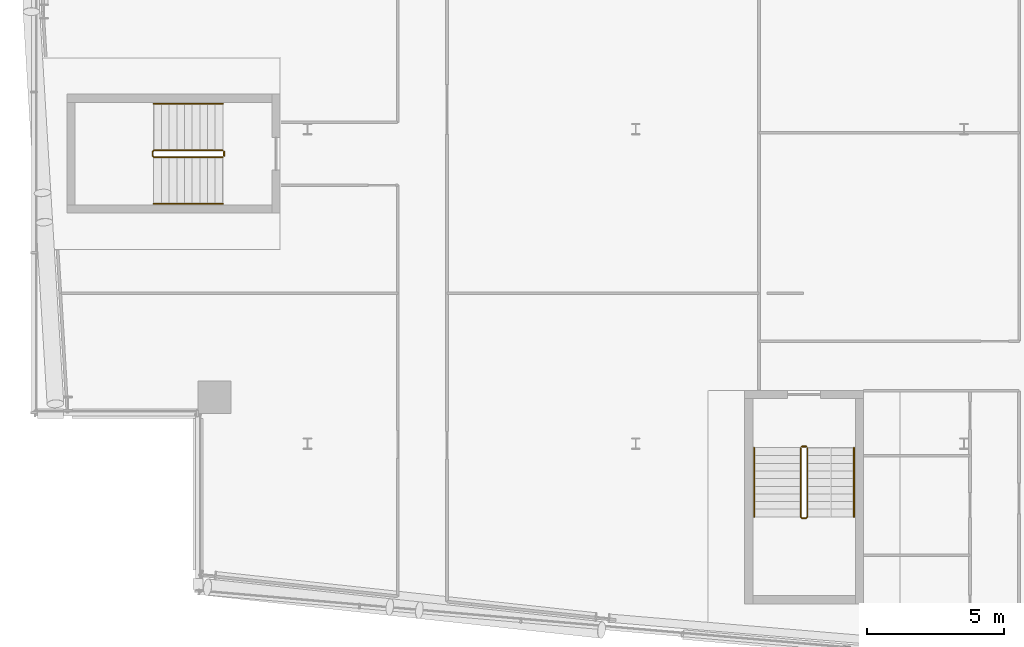
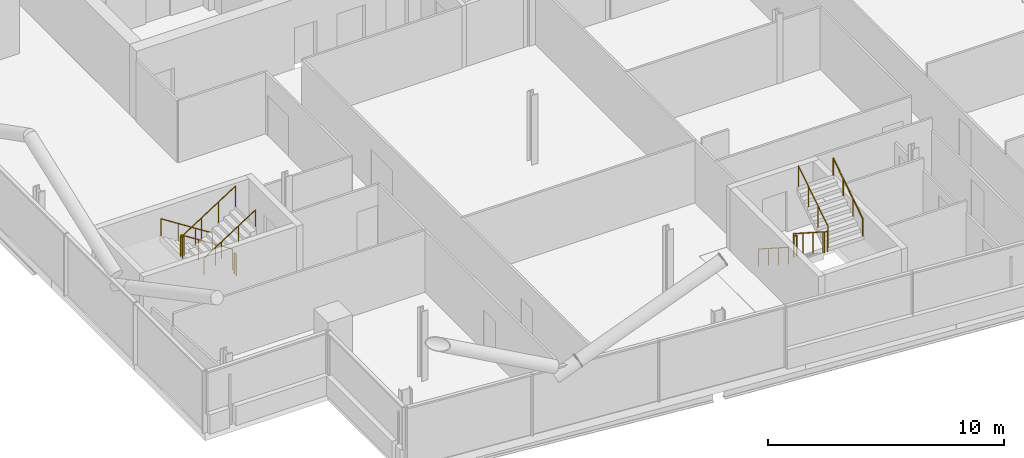
# One storey, part 26 of 28: 8 railings.
"""IFC4 building model written with IfcOpenShell, lengths in metres."""

from ifc_helpers import new_model, si_unit, direction, frame, origin, origin_2d, place, context, subcontext, project, spatial, circle, extrude, material, type_object, element, save


model = new_model("IFC4")

# Units and contexts
model_context = context("Model", 3, precision=1e-05, world=origin(), true_north=direction((0.0, 1.0)))
body_context = subcontext(model_context, "Body", "Model", "MODEL_VIEW")
ifc_project = project(units=[si_unit("LENGTHUNIT", "METRE"), si_unit("AREAUNIT", "SQUARE_METRE"), si_unit("VOLUMEUNIT", "CUBIC_METRE"), si_unit("PLANEANGLEUNIT", "RADIAN"), si_unit("MASSUNIT", "GRAM", prefix="KILO")], contexts=[model_context])

# Site, building, storey
site_placement = place(None, origin())
site = spatial("IfcSite", under=ifc_project, at=site_placement, CompositionType="ELEMENT")
building_placement = place(site_placement, origin())
building = spatial("IfcBuilding", under=site, at=building_placement, Name="Wharfspan Tower", CompositionType="ELEMENT")
storey_placement = place(building_placement, frame((0.0, 0.0, 253.899902)))
storey = spatial("IfcBuildingStorey", under=building, at=storey_placement, Name="L64", CompositionType="ELEMENT", Elevation=253.899902)

# Railings
ifc_material = material(Name="Steel S355J2", Category="steel")
railing_type_1 = type_object("IfcRailingType", Name="Stair guard 1100", PredefinedType="GUARDRAIL", material=ifc_material)
railing_1_placement = place(storey_placement, frame((20.899902, 22.225098, 0.180176)))
element("IfcRailing", 1, at=railing_1_placement, inside=storey, type_object=railing_type_1, Name="L64 ST3 stair guard 1", PredefinedType="GUARDRAIL", context=body_context, shape_type="SweptSolid", body=[
    extrude(circle(Radius=0.023926, at=origin_2d()), frame((0.0, 0.0, 1.076172), z_axis=(-0.8412, 0.0, 0.540725), x_axis=(0.0, -1.0, 0.0)), (0.0, 0.0, 1.0), 2.99585),
    extrude(circle(Radius=0.023926, at=origin_2d()), frame((-2.52002, 0.0, 2.695801), z_axis=(-0.705376, -0.708834, 0.0), x_axis=(0.708834, -0.705376, 0.0)), (0.0, 0.0, 1.0), 0.070557),
    extrude(circle(Radius=0.023926, at=origin_2d()), frame((-2.569824, -0.050049, 2.695801), z_axis=(0.0, -1.0, 0.0), x_axis=(1.0, 0.0, 0.0)), (0.0, 0.0, 1.0), 0.150146),
    extrude(circle(Radius=0.023926, at=origin_2d()), frame((-2.569824, -0.200195, 2.695801), z_axis=(0.257753, -0.257753, 0.931196), x_axis=(0.707107, 0.707107, 0.0)), (0.0, 0.0, 1.0), 0.193115),
    extrude(circle(Radius=0.023926, at=origin_2d()), frame((-2.52002, -0.25, 2.875977), z_axis=(0.841163, 0.0, 0.540782), x_axis=(0.0, 1.0, 0.0)), (0.0, 0.0, 1.0), 2.99585),
    extrude(circle(Radius=0.020996, at=origin_2d()), origin(), (0.0, 0.0, 1.0), 1.052002),
    extrude(circle(Radius=0.020996, at=origin_2d()), frame((-0.840088, 0.0, 0.540039)), (0.0, 0.0, 1.0), 1.052002),
    extrude(circle(Radius=0.020996, at=origin_2d()), frame((-1.679932, 0.0, 1.079834)), (0.0, 0.0, 1.0), 1.052002),
    extrude(circle(Radius=0.020996, at=origin_2d()), frame((-2.52002, 0.0, 1.619873)), (0.0, 0.0, 1.0), 1.052002),
    extrude(circle(Radius=0.020996, at=origin_2d()), frame((-2.569824, -0.050049, 1.619873)), (0.0, 0.0, 1.0), 1.052002),
    extrude(circle(Radius=0.020996, at=origin_2d()), frame((-2.569824, -0.200195, 1.619873)), (0.0, 0.0, 1.0), 1.052002),
    extrude(circle(Radius=0.020996, at=origin_2d()), frame((-2.52002, -0.25, 1.799805)), (0.0, 0.0, 1.0), 1.052002),
    extrude(circle(Radius=0.020996, at=origin_2d()), frame((-1.679932, -0.25, 2.339844)), (0.0, 0.0, 1.0), 1.052002),
    extrude(circle(Radius=0.020996, at=origin_2d()), frame((-0.840088, -0.25, 2.879883)), (0.0, 0.0, 1.0), 1.052002),
    extrude(circle(Radius=0.020996, at=origin_2d()), frame((0.0, -0.25, 3.419922)), (0.0, 0.0, 1.0), 1.052002),
])
railing_2_placement = place(storey_placement, frame((20.949951, 22.175049, 0.0)))
element("IfcRailing", 2, at=railing_2_placement, inside=storey, type_object=railing_type_1, Name="L64 ST3 stair guard 2", PredefinedType="GUARDRAIL", context=body_context, shape_type="SweptSolid", body=[
    extrude(circle(Radius=0.023926, at=origin_2d()), frame((0.0, 0.0, 1.076172), z_axis=(0.0, -1.0, 0.0), x_axis=(1.0, 0.0, 0.0)), (0.0, 0.0, 1.0), 0.150146),
    extrude(circle(Radius=0.020996, at=origin_2d()), origin(), (0.0, 0.0, 1.0), 1.052002),
    extrude(circle(Radius=0.020996, at=origin_2d()), frame((0.0, -0.150146, 0.0)), (0.0, 0.0, 1.0), 1.052002),
])
railing_3_placement = place(storey_placement, frame((42.0271, 11.343262, 0.180176)))
element("IfcRailing", 3, at=railing_3_placement, inside=storey, type_object=railing_type_1, Name="L64 ST4 stair guard 1", PredefinedType="GUARDRAIL", context=body_context, shape_type="SweptSolid", body=[
    extrude(circle(Radius=0.023926, at=origin_2d()), frame((0.0, 0.0, 1.076172), z_axis=(0.0, -0.8412, 0.540725), x_axis=(1.0, 0.0, 0.0)), (0.0, 0.0, 1.0), 2.99585),
    extrude(circle(Radius=0.023926, at=origin_2d()), frame((0.0, -2.52002, 2.695801), z_axis=(0.707107, -0.707107, 0.0), x_axis=(0.707107, 0.707107, 0.0)), (0.0, 0.0, 1.0), 0.070801),
    extrude(circle(Radius=0.023926, at=origin_2d()), frame((0.050049, -2.570068, 2.695801), z_axis=(1.0, 0.0, 0.0), x_axis=(0.0, 1.0, 0.0)), (0.0, 0.0, 1.0), 0.149902),
    extrude(circle(Radius=0.023926, at=origin_2d()), frame((0.199951, -2.570068, 2.695801), z_axis=(0.258848, 0.258848, 0.930589), x_axis=(-0.707107, 0.707107, 0.0)), (0.0, 0.0, 1.0), 0.193359),
    extrude(circle(Radius=0.023926, at=origin_2d()), frame((0.25, -2.52002, 2.875977), z_axis=(0.0, 0.841163, 0.540782), x_axis=(-1.0, 0.0, 0.0)), (0.0, 0.0, 1.0), 2.99585),
    extrude(circle(Radius=0.020996, at=origin_2d()), origin(), (0.0, 0.0, 1.0), 1.052002),
    extrude(circle(Radius=0.020996, at=origin_2d()), frame((0.0, -0.840088, 0.540039)), (0.0, 0.0, 1.0), 1.052002),
    extrude(circle(Radius=0.020996, at=origin_2d()), frame((0.0, -1.679932, 1.079834)), (0.0, 0.0, 1.0), 1.052002),
    extrude(circle(Radius=0.020996, at=origin_2d()), frame((0.0, -2.52002, 1.619873)), (0.0, 0.0, 1.0), 1.052002),
    extrude(circle(Radius=0.020996, at=origin_2d()), frame((0.050049, -2.570068, 1.619873)), (0.0, 0.0, 1.0), 1.052002),
    extrude(circle(Radius=0.020996, at=origin_2d()), frame((0.199951, -2.570068, 1.619873)), (0.0, 0.0, 1.0), 1.052002),
    extrude(circle(Radius=0.020996, at=origin_2d()), frame((0.25, -2.52002, 1.799805)), (0.0, 0.0, 1.0), 1.052002),
    extrude(circle(Radius=0.020996, at=origin_2d()), frame((0.25, -1.679932, 2.339844)), (0.0, 0.0, 1.0), 1.052002),
    extrude(circle(Radius=0.020996, at=origin_2d()), frame((0.25, -0.840088, 2.879883)), (0.0, 0.0, 1.0), 1.052002),
    extrude(circle(Radius=0.020996, at=origin_2d()), frame((0.25, 0.0, 3.419922)), (0.0, 0.0, 1.0), 1.052002),
])
railing_4_placement = place(storey_placement, frame((42.077148, 11.393311, 0.0)))
element("IfcRailing", 4, at=railing_4_placement, inside=storey, type_object=railing_type_1, Name="L64 ST4 stair guard 2", PredefinedType="GUARDRAIL", context=body_context, shape_type="SweptSolid", body=[
    extrude(circle(Radius=0.023926, at=origin_2d()), frame((0.0, 0.0, 1.076172), z_axis=(1.0, 0.0, 0.0), x_axis=(0.0, 1.0, 0.0)), (0.0, 0.0, 1.0), 0.149902),
    extrude(circle(Radius=0.020996, at=origin_2d()), origin(), (0.0, 0.0, 1.0), 1.052002),
    extrude(circle(Radius=0.020996, at=origin_2d()), frame((0.149902, 0.0, 0.0)), (0.0, 0.0, 1.0), 1.052002),
])
railing_type_2 = type_object("IfcRailingType", Name="Stair handrail 900", PredefinedType="HANDRAIL", material=ifc_material)
railing_5_placement = place(storey_placement, frame((20.899902, 23.925049, 0.180176)))
element("IfcRailing", 5, at=railing_5_placement, inside=storey, type_object=railing_type_2, Name="L64 ST3 stair handrail 1", PredefinedType="HANDRAIL", context=body_context, shape_type="SweptSolid", body=[
    extrude(circle(Radius=0.023926, at=origin_2d()), frame((0.0, 0.0, 0.875977), z_axis=(-0.8412, 0.0, 0.540725), x_axis=(0.0, -1.0, 0.0)), (0.0, 0.0, 1.0), 2.99585),
    extrude(circle(Radius=0.020996, at=origin_2d()), origin(), (0.0, 0.0, 1.0), 0.851807),
    extrude(circle(Radius=0.020996, at=origin_2d()), frame((-0.840088, 0.0, 0.540039)), (0.0, 0.0, 1.0), 0.851807),
    extrude(circle(Radius=0.020996, at=origin_2d()), frame((-1.679932, 0.0, 1.079834)), (0.0, 0.0, 1.0), 0.851807),
    extrude(circle(Radius=0.020996, at=origin_2d()), frame((-2.52002, 0.0, 1.619873)), (0.0, 0.0, 1.0), 0.851807),
])
railing_6_placement = place(storey_placement, frame((18.379883, 20.274902, 1.97998)))
element("IfcRailing", 6, at=railing_6_placement, inside=storey, type_object=railing_type_2, Name="L64 ST3 stair handrail 2", PredefinedType="HANDRAIL", context=body_context, shape_type="SweptSolid", body=[
    extrude(circle(Radius=0.023926, at=origin_2d()), frame((0.0, 0.0, 0.875977), z_axis=(0.841163, 0.0, 0.540782), x_axis=(0.0, 1.0, 0.0)), (0.0, 0.0, 1.0), 2.99585),
    extrude(circle(Radius=0.020996, at=origin_2d()), origin(), (0.0, 0.0, 1.0), 0.851807),
    extrude(circle(Radius=0.020996, at=origin_2d()), frame((0.840088, 0.0, 0.540039)), (0.0, 0.0, 1.0), 0.851807),
    extrude(circle(Radius=0.020996, at=origin_2d()), frame((1.679932, 0.0, 1.080078)), (0.0, 0.0, 1.0), 0.851807),
    extrude(circle(Radius=0.020996, at=origin_2d()), frame((2.52002, 0.0, 1.620117)), (0.0, 0.0, 1.0), 0.851807),
])
railing_7_placement = place(storey_placement, frame((40.327148, 11.343262, 0.180176)))
element("IfcRailing", 7, at=railing_7_placement, inside=storey, type_object=railing_type_2, Name="L64 ST4 stair handrail 1", PredefinedType="HANDRAIL", context=body_context, shape_type="SweptSolid", body=[
    extrude(circle(Radius=0.023926, at=origin_2d()), frame((0.0, 0.0, 0.875977), z_axis=(0.0, -0.8412, 0.540725), x_axis=(1.0, 0.0, 0.0)), (0.0, 0.0, 1.0), 2.99585),
    extrude(circle(Radius=0.020996, at=origin_2d()), origin(), (0.0, 0.0, 1.0), 0.851807),
    extrude(circle(Radius=0.020996, at=origin_2d()), frame((0.0, -0.840088, 0.540039)), (0.0, 0.0, 1.0), 0.851807),
    extrude(circle(Radius=0.020996, at=origin_2d()), frame((0.0, -1.679932, 1.079834)), (0.0, 0.0, 1.0), 0.851807),
    extrude(circle(Radius=0.020996, at=origin_2d()), frame((0.0, -2.52002, 1.619873)), (0.0, 0.0, 1.0), 0.851807),
])
railing_8_placement = place(storey_placement, frame((43.977051, 8.823242, 1.97998)))
element("IfcRailing", 8, at=railing_8_placement, inside=storey, type_object=railing_type_2, Name="L64 ST4 stair handrail 2", PredefinedType="HANDRAIL", context=body_context, shape_type="SweptSolid", body=[
    extrude(circle(Radius=0.023926, at=origin_2d()), frame((0.0, 0.0, 0.875977), z_axis=(0.0, 0.841163, 0.540782), x_axis=(-1.0, 0.0, 0.0)), (0.0, 0.0, 1.0), 2.99585),
    extrude(circle(Radius=0.020996, at=origin_2d()), origin(), (0.0, 0.0, 1.0), 0.851807),
    extrude(circle(Radius=0.020996, at=origin_2d()), frame((0.0, 0.840088, 0.540039)), (0.0, 0.0, 1.0), 0.851807),
    extrude(circle(Radius=0.020996, at=origin_2d()), frame((0.0, 1.679932, 1.080078)), (0.0, 0.0, 1.0), 0.851807),
    extrude(circle(Radius=0.020996, at=origin_2d()), frame((0.0, 2.52002, 1.620117)), (0.0, 0.0, 1.0), 0.851807),
])

save(model, "model.ifc")
